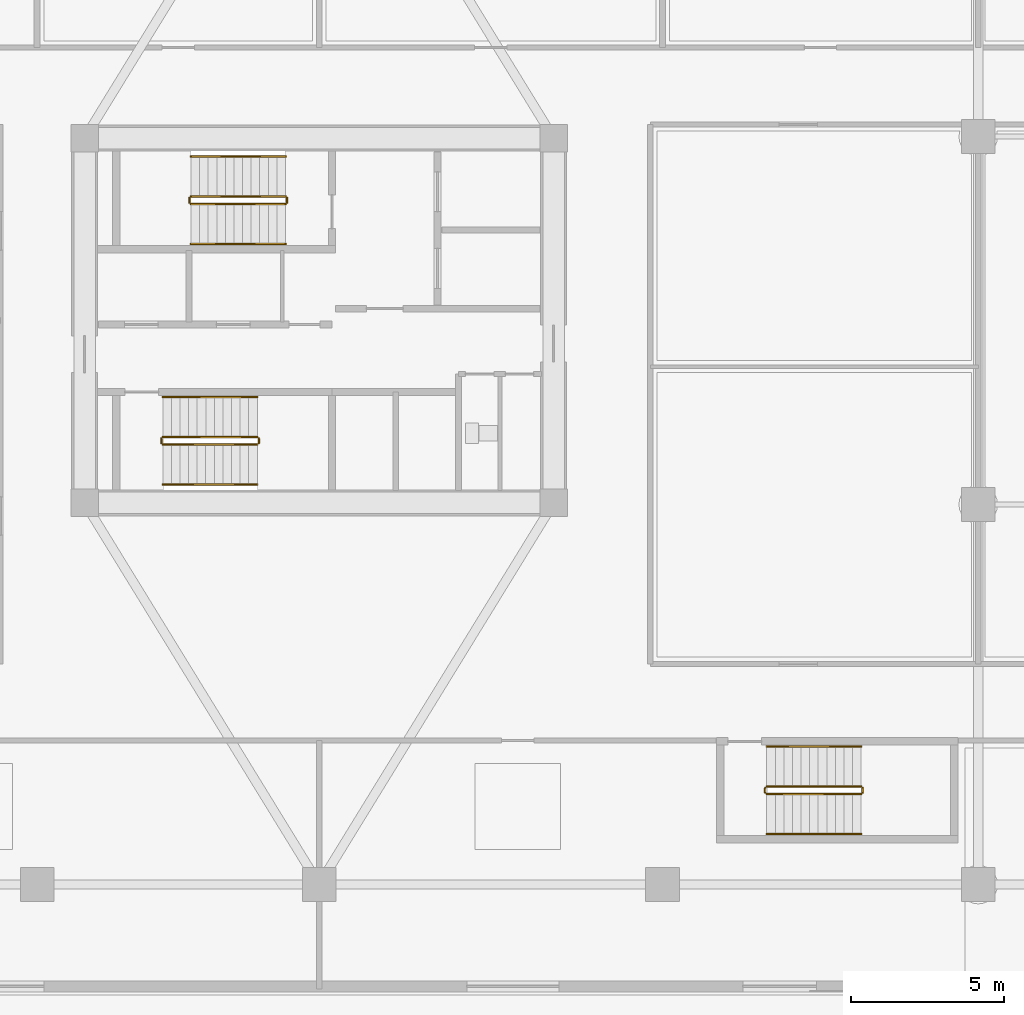
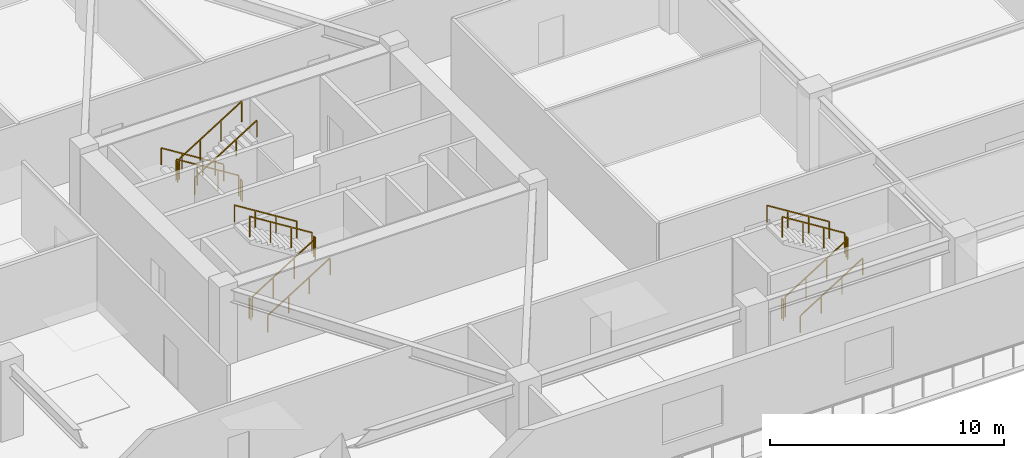
# One storey, part 15 of 23: 18 railings.
"""IFC4 building model written with IfcOpenShell, lengths in metres."""

from ifc_helpers import new_model, si_unit, direction, frame, origin, origin_2d, place, context, subcontext, project, spatial, rectangle, extrude, material, type_object, element, save


model = new_model("IFC4")

# Units and contexts
model_context = context("Model", 3, precision=1e-05, world=origin(), true_north=direction((0.0, 1.0)))
body_context = subcontext(model_context, "Body", "Model", "MODEL_VIEW")
ifc_project = project(units=[si_unit("LENGTHUNIT", "METRE"), si_unit("AREAUNIT", "SQUARE_METRE"), si_unit("VOLUMEUNIT", "CUBIC_METRE"), si_unit("PLANEANGLEUNIT", "RADIAN"), si_unit("MASSUNIT", "GRAM", prefix="KILO")], contexts=[model_context])

# Site, building, storey
site_placement = place(None, origin())
site = spatial("IfcSite", under=ifc_project, at=site_placement, CompositionType="ELEMENT")
building_placement = place(site_placement, origin())
building = spatial("IfcBuilding", under=site, at=building_placement, Name="Norrkilde Senior Care Towers", CompositionType="ELEMENT")
storey_placement = place(building_placement, frame((0.0, 0.0, 8.39990234375)))
storey = spatial("IfcBuildingStorey", under=building, at=storey_placement, Name="L02", CompositionType="ELEMENT", Elevation=8.39990234375)

# Railings
ifc_material_1 = material(Name="Stainless Steel", Category="steel")
railing_type_1 = type_object("IfcRailingType", Name="Stair and Terrace Guardrail 1100", PredefinedType="GUARDRAIL", material=ifc_material_1)
railing_1_placement = place(storey_placement, frame((-29.10009765625, 4.050048828125, 0.175048828125)))
element("IfcRailing", 1, at=railing_1_placement, inside=storey, type_object=railing_type_1, Name="L02 ST-W1 stair guard 1", PredefinedType="GUARDRAIL", context=body_context, shape_type="SweptSolid", body=[
    extrude(rectangle(XDim=0.048095703125, YDim=0.048095703125, at=origin_2d()), frame((0.0, 0.0, 1.076171875), z_axis=(-0.847979421464, 0.0, 0.530029150871), x_axis=(0.0, -1.0, 0.0)), (0.0, 0.0, 1.0), 3.632080078125),
    extrude(rectangle(XDim=0.0419921875, YDim=0.0419921875, at=origin_2d()), origin(), (0.0, 0.0, 1.0), 1.050048828125),
    extrude(rectangle(XDim=0.0419921875, YDim=0.0419921875, at=origin_2d()), frame((-1.026611328125, 0.0, 0.6416015625)), (0.0, 0.0, 1.0), 1.050048828125),
    extrude(rectangle(XDim=0.0419921875, YDim=0.0419921875, at=origin_2d()), frame((-2.05322265625, 0.0, 1.283447265625)), (0.0, 0.0, 1.0), 1.050048828125),
    extrude(rectangle(XDim=0.0419921875, YDim=0.0419921875, at=origin_2d()), frame((-3.079833984375, 0.0, 1.925048828125)), (0.0, 0.0, 1.0), 1.050048828125),
])
railing_2_placement = place(storey_placement, frame((-32.22998046875, 4.0, 2.10009765625)))
element("IfcRailing", 2, at=railing_2_placement, inside=storey, type_object=railing_type_1, Name="L02 ST-W1 stair guard 2", PredefinedType="GUARDRAIL", context=body_context, shape_type="SweptSolid", body=[
    extrude(rectangle(XDim=0.048095703125, YDim=0.048095703125, at=origin_2d()), frame((0.0, 0.0, 1.076171875), z_axis=(0.0, -1.0, 0.0), x_axis=(1.0, 0.0, 0.0)), (0.0, 0.0, 1.0), 0.14990234375),
    extrude(rectangle(XDim=0.0419921875, YDim=0.0419921875, at=origin_2d()), origin(), (0.0, 0.0, 1.0), 1.050048828125),
    extrude(rectangle(XDim=0.0419921875, YDim=0.0419921875, at=origin_2d()), frame((0.0, -0.14990234375, 0.0)), (0.0, 0.0, 1.0), 1.050048828125),
])
railing_3_placement = place(storey_placement, frame((-32.179931640625, 3.800048828125, 2.275146484375)))
element("IfcRailing", 3, at=railing_3_placement, inside=storey, type_object=railing_type_1, Name="L02 ST-W1 stair guard 3", PredefinedType="GUARDRAIL", context=body_context, shape_type="SweptSolid", body=[
    extrude(rectangle(XDim=0.048095703125, YDim=0.048095703125, at=origin_2d()), frame((0.0, 0.0, 1.076171875), z_axis=(0.847979421464, 0.0, 0.530029150871), x_axis=(0.0, 1.0, 0.0)), (0.0, 0.0, 1.0), 3.632080078125),
    extrude(rectangle(XDim=0.0419921875, YDim=0.0419921875, at=origin_2d()), origin(), (0.0, 0.0, 1.0), 1.050048828125),
    extrude(rectangle(XDim=0.0419921875, YDim=0.0419921875, at=origin_2d()), frame((1.026611328125, 0.0, 0.6416015625)), (0.0, 0.0, 1.0), 1.050048828125),
    extrude(rectangle(XDim=0.0419921875, YDim=0.0419921875, at=origin_2d()), frame((2.05322265625, 0.0, 1.283447265625)), (0.0, 0.0, 1.0), 1.050048828125),
    extrude(rectangle(XDim=0.0419921875, YDim=0.0419921875, at=origin_2d()), frame((3.079833984375, 0.0, 1.925048828125)), (0.0, 0.0, 1.0), 1.050048828125),
])
railing_4_placement = place(storey_placement, frame((-29.050048828125, 4.0, 0.0)))
element("IfcRailing", 4, at=railing_4_placement, inside=storey, type_object=railing_type_1, Name="L02 ST-W1 stair guard 4", PredefinedType="GUARDRAIL", context=body_context, shape_type="SweptSolid", body=[
    extrude(rectangle(XDim=0.048095703125, YDim=0.048095703125, at=origin_2d()), frame((0.0, 0.0, 1.076171875), z_axis=(0.0, -1.0, 0.0), x_axis=(1.0, 0.0, 0.0)), (0.0, 0.0, 1.0), 0.14990234375),
    extrude(rectangle(XDim=0.0419921875, YDim=0.0419921875, at=origin_2d()), origin(), (0.0, 0.0, 1.0), 1.050048828125),
    extrude(rectangle(XDim=0.0419921875, YDim=0.0419921875, at=origin_2d()), frame((0.0, -0.14990234375, 0.0)), (0.0, 0.0, 1.0), 1.050048828125),
])
railing_5_placement = place(storey_placement, frame((-33.10009765625, -4.050048828125, 0.175048828125)))
element("IfcRailing", 5, at=railing_5_placement, inside=storey, type_object=railing_type_1, Name="L02 ST-W2 stair guard 1", PredefinedType="GUARDRAIL", context=body_context, shape_type="SweptSolid", body=[
    extrude(rectangle(XDim=0.048095703125, YDim=0.048095703125, at=origin_2d()), frame((0.0, 0.0, 1.076171875), z_axis=(0.847998304005, 0.0, 0.529998940003), x_axis=(0.0, 1.0, 0.0)), (0.0, 0.0, 1.0), 3.632080078125),
    extrude(rectangle(XDim=0.0419921875, YDim=0.0419921875, at=origin_2d()), origin(), (0.0, 0.0, 1.0), 1.050048828125),
    extrude(rectangle(XDim=0.0419921875, YDim=0.0419921875, at=origin_2d()), frame((1.026611328125, 0.0, 0.6416015625)), (0.0, 0.0, 1.0), 1.050048828125),
    extrude(rectangle(XDim=0.0419921875, YDim=0.0419921875, at=origin_2d()), frame((2.053466796875, 0.0, 1.283447265625)), (0.0, 0.0, 1.0), 1.050048828125),
    extrude(rectangle(XDim=0.0419921875, YDim=0.0419921875, at=origin_2d()), frame((3.080078125, 0.0, 1.925048828125)), (0.0, 0.0, 1.0), 1.050048828125),
])
railing_6_placement = place(storey_placement, frame((-29.969970703125, -4.0, 2.10009765625)))
element("IfcRailing", 6, at=railing_6_placement, inside=storey, type_object=railing_type_1, Name="L02 ST-W2 stair guard 2", PredefinedType="GUARDRAIL", context=body_context, shape_type="SweptSolid", body=[
    extrude(rectangle(XDim=0.048095703125, YDim=0.048095703125, at=origin_2d()), frame((0.0, 0.0, 1.076171875), z_axis=(0.0, 1.0, 0.0), x_axis=(-1.0, 0.0, 0.0)), (0.0, 0.0, 1.0), 0.14990234375),
    extrude(rectangle(XDim=0.0419921875, YDim=0.0419921875, at=origin_2d()), origin(), (0.0, 0.0, 1.0), 1.050048828125),
    extrude(rectangle(XDim=0.0419921875, YDim=0.0419921875, at=origin_2d()), frame((0.0, 0.14990234375, 0.0)), (0.0, 0.0, 1.0), 1.050048828125),
])
railing_7_placement = place(storey_placement, frame((-30.02001953125, -3.800048828125, 2.275146484375)))
element("IfcRailing", 7, at=railing_7_placement, inside=storey, type_object=railing_type_1, Name="L02 ST-W2 stair guard 3", PredefinedType="GUARDRAIL", context=body_context, shape_type="SweptSolid", body=[
    extrude(rectangle(XDim=0.048095703125, YDim=0.048095703125, at=origin_2d()), frame((0.0, 0.0, 1.076171875), z_axis=(-0.847998304005, 0.0, 0.529998940003), x_axis=(0.0, -1.0, 0.0)), (0.0, 0.0, 1.0), 3.632080078125),
    extrude(rectangle(XDim=0.0419921875, YDim=0.0419921875, at=origin_2d()), origin(), (0.0, 0.0, 1.0), 1.050048828125),
    extrude(rectangle(XDim=0.0419921875, YDim=0.0419921875, at=origin_2d()), frame((-1.026611328125, 0.0, 0.6416015625)), (0.0, 0.0, 1.0), 1.050048828125),
    extrude(rectangle(XDim=0.0419921875, YDim=0.0419921875, at=origin_2d()), frame((-2.053466796875, 0.0, 1.283447265625)), (0.0, 0.0, 1.0), 1.050048828125),
    extrude(rectangle(XDim=0.0419921875, YDim=0.0419921875, at=origin_2d()), frame((-3.080078125, 0.0, 1.925048828125)), (0.0, 0.0, 1.0), 1.050048828125),
])
railing_8_placement = place(storey_placement, frame((-33.14990234375, -4.0, 0.0)))
element("IfcRailing", 8, at=railing_8_placement, inside=storey, type_object=railing_type_1, Name="L02 ST-W2 stair guard 4", PredefinedType="GUARDRAIL", context=body_context, shape_type="SweptSolid", body=[
    extrude(rectangle(XDim=0.048095703125, YDim=0.048095703125, at=origin_2d()), frame((0.0, 0.0, 1.076171875), z_axis=(0.0, 1.0, 0.0), x_axis=(-1.0, 0.0, 0.0)), (0.0, 0.0, 1.0), 0.14990234375),
    extrude(rectangle(XDim=0.0419921875, YDim=0.0419921875, at=origin_2d()), origin(), (0.0, 0.0, 1.0), 1.050048828125),
    extrude(rectangle(XDim=0.0419921875, YDim=0.0419921875, at=origin_2d()), frame((0.0, 0.14990234375, 0.0)), (0.0, 0.0, 1.0), 1.050048828125),
])
railing_9_placement = place(storey_placement, frame((-13.39990234375, -15.449951171875, 0.175048828125)))
element("IfcRailing", 9, at=railing_9_placement, inside=storey, type_object=railing_type_1, Name="L02 ST-P1 stair guard 1", PredefinedType="GUARDRAIL", context=body_context, shape_type="SweptSolid", body=[
    extrude(rectangle(XDim=0.048095703125, YDim=0.048095703125, at=origin_2d()), frame((0.0, 0.0, 1.076171875), z_axis=(0.847979421464, 0.0, 0.530029150871), x_axis=(0.0, 1.0, 0.0)), (0.0, 0.0, 1.0), 3.632080078125),
    extrude(rectangle(XDim=0.0419921875, YDim=0.0419921875, at=origin_2d()), origin(), (0.0, 0.0, 1.0), 1.050048828125),
    extrude(rectangle(XDim=0.0419921875, YDim=0.0419921875, at=origin_2d()), frame((1.026611328125, 0.0, 0.6416015625)), (0.0, 0.0, 1.0), 1.050048828125),
    extrude(rectangle(XDim=0.0419921875, YDim=0.0419921875, at=origin_2d()), frame((2.05322265625, 0.0, 1.283447265625)), (0.0, 0.0, 1.0), 1.050048828125),
    extrude(rectangle(XDim=0.0419921875, YDim=0.0419921875, at=origin_2d()), frame((3.079833984375, 0.0, 1.925048828125)), (0.0, 0.0, 1.0), 1.050048828125),
])
railing_10_placement = place(storey_placement, frame((-10.27001953125, -15.39990234375, 2.10009765625)))
element("IfcRailing", 10, at=railing_10_placement, inside=storey, type_object=railing_type_1, Name="L02 ST-P1 stair guard 2", PredefinedType="GUARDRAIL", context=body_context, shape_type="SweptSolid", body=[
    extrude(rectangle(XDim=0.048095703125, YDim=0.048095703125, at=origin_2d()), frame((0.0, 0.0, 1.076171875), z_axis=(0.0, 1.0, 0.0), x_axis=(-1.0, 0.0, 0.0)), (0.0, 0.0, 1.0), 0.14990234375),
    extrude(rectangle(XDim=0.0419921875, YDim=0.0419921875, at=origin_2d()), origin(), (0.0, 0.0, 1.0), 1.050048828125),
    extrude(rectangle(XDim=0.0419921875, YDim=0.0419921875, at=origin_2d()), frame((0.0, 0.14990234375, 0.0)), (0.0, 0.0, 1.0), 1.050048828125),
])
railing_11_placement = place(storey_placement, frame((-10.320068359375, -15.199951171875, 2.275146484375)))
element("IfcRailing", 11, at=railing_11_placement, inside=storey, type_object=railing_type_1, Name="L02 ST-P1 stair guard 3", PredefinedType="GUARDRAIL", context=body_context, shape_type="SweptSolid", body=[
    extrude(rectangle(XDim=0.048095703125, YDim=0.048095703125, at=origin_2d()), frame((0.0, 0.0, 1.076171875), z_axis=(-0.847979421464, 0.0, 0.530029150871), x_axis=(0.0, -1.0, 0.0)), (0.0, 0.0, 1.0), 3.632080078125),
    extrude(rectangle(XDim=0.0419921875, YDim=0.0419921875, at=origin_2d()), origin(), (0.0, 0.0, 1.0), 1.050048828125),
    extrude(rectangle(XDim=0.0419921875, YDim=0.0419921875, at=origin_2d()), frame((-1.026611328125, 0.0, 0.6416015625)), (0.0, 0.0, 1.0), 1.050048828125),
    extrude(rectangle(XDim=0.0419921875, YDim=0.0419921875, at=origin_2d()), frame((-2.05322265625, 0.0, 1.283447265625)), (0.0, 0.0, 1.0), 1.050048828125),
    extrude(rectangle(XDim=0.0419921875, YDim=0.0419921875, at=origin_2d()), frame((-3.079833984375, 0.0, 1.925048828125)), (0.0, 0.0, 1.0), 1.050048828125),
])
railing_12_placement = place(storey_placement, frame((-13.449951171875, -15.39990234375, 0.0)))
element("IfcRailing", 12, at=railing_12_placement, inside=storey, type_object=railing_type_1, Name="L02 ST-P1 stair guard 4", PredefinedType="GUARDRAIL", context=body_context, shape_type="SweptSolid", body=[
    extrude(rectangle(XDim=0.048095703125, YDim=0.048095703125, at=origin_2d()), frame((0.0, 0.0, 1.076171875), z_axis=(0.0, 1.0, 0.0), x_axis=(-1.0, 0.0, 0.0)), (0.0, 0.0, 1.0), 0.14990234375),
    extrude(rectangle(XDim=0.0419921875, YDim=0.0419921875, at=origin_2d()), origin(), (0.0, 0.0, 1.0), 1.050048828125),
    extrude(rectangle(XDim=0.0419921875, YDim=0.0419921875, at=origin_2d()), frame((0.0, 0.14990234375, 0.0)), (0.0, 0.0, 1.0), 1.050048828125),
])
ifc_material_2 = material(Name="Nordic Ash Timber", Category="wood")
railing_type_2 = type_object("IfcRailingType", Name="Wall and Stair Handrail 900", PredefinedType="HANDRAIL", material=ifc_material_2)
railing_13_placement = place(storey_placement, frame((-29.10009765625, 5.35009765625, 0.175048828125)))
element("IfcRailing", 13, at=railing_13_placement, inside=storey, type_object=railing_type_2, Name="L02 ST-W1 stair handrail 1", PredefinedType="HANDRAIL", context=body_context, shape_type="SweptSolid", body=[
    extrude(rectangle(XDim=0.048095703125, YDim=0.048095703125, at=origin_2d()), frame((0.0, 0.0, 0.8759765625), z_axis=(-0.847979421464, 0.0, 0.530029150871), x_axis=(0.0, -1.0, 0.0)), (0.0, 0.0, 1.0), 3.632080078125),
    extrude(rectangle(XDim=0.0419921875, YDim=0.0419921875, at=origin_2d()), origin(), (0.0, 0.0, 1.0), 0.849853515625),
    extrude(rectangle(XDim=0.0419921875, YDim=0.0419921875, at=origin_2d()), frame((-1.026611328125, 0.0, 0.6416015625)), (0.0, 0.0, 1.0), 0.849853515625),
    extrude(rectangle(XDim=0.0419921875, YDim=0.0419921875, at=origin_2d()), frame((-2.05322265625, 0.0, 1.283447265625)), (0.0, 0.0, 1.0), 0.849853515625),
    extrude(rectangle(XDim=0.0419921875, YDim=0.0419921875, at=origin_2d()), frame((-3.079833984375, 0.0, 1.925048828125)), (0.0, 0.0, 1.0), 0.849853515625),
])
railing_14_placement = place(storey_placement, frame((-32.179931640625, 2.5, 2.275146484375)))
element("IfcRailing", 14, at=railing_14_placement, inside=storey, type_object=railing_type_2, Name="L02 ST-W1 stair handrail 2", PredefinedType="HANDRAIL", context=body_context, shape_type="SweptSolid", body=[
    extrude(rectangle(XDim=0.048095703125, YDim=0.048095703125, at=origin_2d()), frame((0.0, 0.0, 0.8759765625), z_axis=(0.847979421464, 0.0, 0.530029150871), x_axis=(0.0, 1.0, 0.0)), (0.0, 0.0, 1.0), 3.632080078125),
    extrude(rectangle(XDim=0.0419921875, YDim=0.0419921875, at=origin_2d()), origin(), (0.0, 0.0, 1.0), 0.849853515625),
    extrude(rectangle(XDim=0.0419921875, YDim=0.0419921875, at=origin_2d()), frame((1.026611328125, 0.0, 0.6416015625)), (0.0, 0.0, 1.0), 0.849853515625),
    extrude(rectangle(XDim=0.0419921875, YDim=0.0419921875, at=origin_2d()), frame((2.05322265625, 0.0, 1.283447265625)), (0.0, 0.0, 1.0), 0.849853515625),
    extrude(rectangle(XDim=0.0419921875, YDim=0.0419921875, at=origin_2d()), frame((3.079833984375, 0.0, 1.925048828125)), (0.0, 0.0, 1.0), 0.849853515625),
])
railing_15_placement = place(storey_placement, frame((-33.10009765625, -5.35009765625, 0.175048828125)))
element("IfcRailing", 15, at=railing_15_placement, inside=storey, type_object=railing_type_2, Name="L02 ST-W2 stair handrail 1", PredefinedType="HANDRAIL", context=body_context, shape_type="SweptSolid", body=[
    extrude(rectangle(XDim=0.048095703125, YDim=0.048095703125, at=origin_2d()), frame((0.0, 0.0, 0.8759765625), z_axis=(0.847998304005, 0.0, 0.529998940003), x_axis=(0.0, 1.0, 0.0)), (0.0, 0.0, 1.0), 3.632080078125),
    extrude(rectangle(XDim=0.0419921875, YDim=0.0419921875, at=origin_2d()), origin(), (0.0, 0.0, 1.0), 0.849853515625),
    extrude(rectangle(XDim=0.0419921875, YDim=0.0419921875, at=origin_2d()), frame((1.026611328125, 0.0, 0.6416015625)), (0.0, 0.0, 1.0), 0.849853515625),
    extrude(rectangle(XDim=0.0419921875, YDim=0.0419921875, at=origin_2d()), frame((2.053466796875, 0.0, 1.283447265625)), (0.0, 0.0, 1.0), 0.849853515625),
    extrude(rectangle(XDim=0.0419921875, YDim=0.0419921875, at=origin_2d()), frame((3.080078125, 0.0, 1.925048828125)), (0.0, 0.0, 1.0), 0.849853515625),
])
railing_16_placement = place(storey_placement, frame((-30.02001953125, -2.5, 2.275146484375)))
element("IfcRailing", 16, at=railing_16_placement, inside=storey, type_object=railing_type_2, Name="L02 ST-W2 stair handrail 2", PredefinedType="HANDRAIL", context=body_context, shape_type="SweptSolid", body=[
    extrude(rectangle(XDim=0.048095703125, YDim=0.048095703125, at=origin_2d()), frame((0.0, 0.0, 0.8759765625), z_axis=(-0.847998304005, 0.0, 0.529998940003), x_axis=(0.0, -1.0, 0.0)), (0.0, 0.0, 1.0), 3.632080078125),
    extrude(rectangle(XDim=0.0419921875, YDim=0.0419921875, at=origin_2d()), origin(), (0.0, 0.0, 1.0), 0.849853515625),
    extrude(rectangle(XDim=0.0419921875, YDim=0.0419921875, at=origin_2d()), frame((-1.026611328125, 0.0, 0.6416015625)), (0.0, 0.0, 1.0), 0.849853515625),
    extrude(rectangle(XDim=0.0419921875, YDim=0.0419921875, at=origin_2d()), frame((-2.053466796875, 0.0, 1.283447265625)), (0.0, 0.0, 1.0), 0.849853515625),
    extrude(rectangle(XDim=0.0419921875, YDim=0.0419921875, at=origin_2d()), frame((-3.080078125, 0.0, 1.925048828125)), (0.0, 0.0, 1.0), 0.849853515625),
])
railing_17_placement = place(storey_placement, frame((-13.39990234375, -16.75, 0.175048828125)))
element("IfcRailing", 17, at=railing_17_placement, inside=storey, type_object=railing_type_2, Name="L02 ST-P1 stair handrail 1", PredefinedType="HANDRAIL", context=body_context, shape_type="SweptSolid", body=[
    extrude(rectangle(XDim=0.048095703125, YDim=0.048095703125, at=origin_2d()), frame((0.0, 0.0, 0.8759765625), z_axis=(0.847979421464, 0.0, 0.530029150871), x_axis=(0.0, 1.0, 0.0)), (0.0, 0.0, 1.0), 3.632080078125),
    extrude(rectangle(XDim=0.0419921875, YDim=0.0419921875, at=origin_2d()), origin(), (0.0, 0.0, 1.0), 0.849853515625),
    extrude(rectangle(XDim=0.0419921875, YDim=0.0419921875, at=origin_2d()), frame((1.026611328125, 0.0, 0.6416015625)), (0.0, 0.0, 1.0), 0.849853515625),
    extrude(rectangle(XDim=0.0419921875, YDim=0.0419921875, at=origin_2d()), frame((2.05322265625, 0.0, 1.283447265625)), (0.0, 0.0, 1.0), 0.849853515625),
    extrude(rectangle(XDim=0.0419921875, YDim=0.0419921875, at=origin_2d()), frame((3.079833984375, 0.0, 1.925048828125)), (0.0, 0.0, 1.0), 0.849853515625),
])
railing_18_placement = place(storey_placement, frame((-10.320068359375, -13.89990234375, 2.275146484375)))
element("IfcRailing", 18, at=railing_18_placement, inside=storey, type_object=railing_type_2, Name="L02 ST-P1 stair handrail 2", PredefinedType="HANDRAIL", context=body_context, shape_type="SweptSolid", body=[
    extrude(rectangle(XDim=0.048095703125, YDim=0.048095703125, at=origin_2d()), frame((0.0, 0.0, 0.8759765625), z_axis=(-0.847979421464, 0.0, 0.530029150871), x_axis=(0.0, -1.0, 0.0)), (0.0, 0.0, 1.0), 3.632080078125),
    extrude(rectangle(XDim=0.0419921875, YDim=0.0419921875, at=origin_2d()), origin(), (0.0, 0.0, 1.0), 0.849853515625),
    extrude(rectangle(XDim=0.0419921875, YDim=0.0419921875, at=origin_2d()), frame((-1.026611328125, 0.0, 0.6416015625)), (0.0, 0.0, 1.0), 0.849853515625),
    extrude(rectangle(XDim=0.0419921875, YDim=0.0419921875, at=origin_2d()), frame((-2.05322265625, 0.0, 1.283447265625)), (0.0, 0.0, 1.0), 0.849853515625),
    extrude(rectangle(XDim=0.0419921875, YDim=0.0419921875, at=origin_2d()), frame((-3.079833984375, 0.0, 1.925048828125)), (0.0, 0.0, 1.0), 0.849853515625),
])

save(model, "model.ifc")
